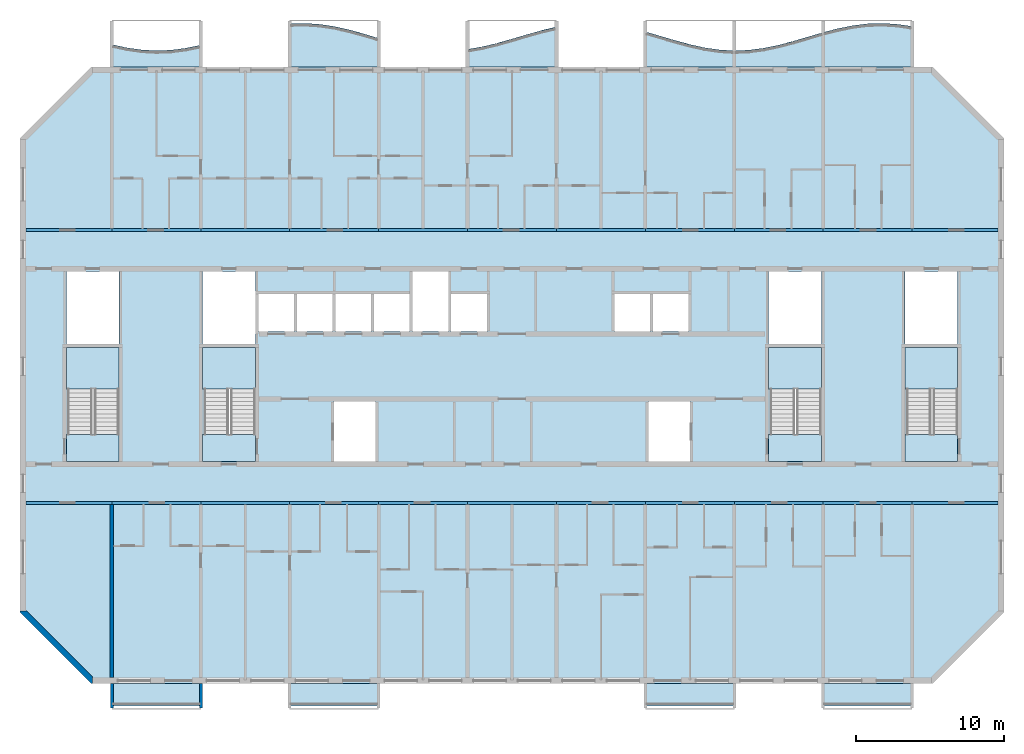
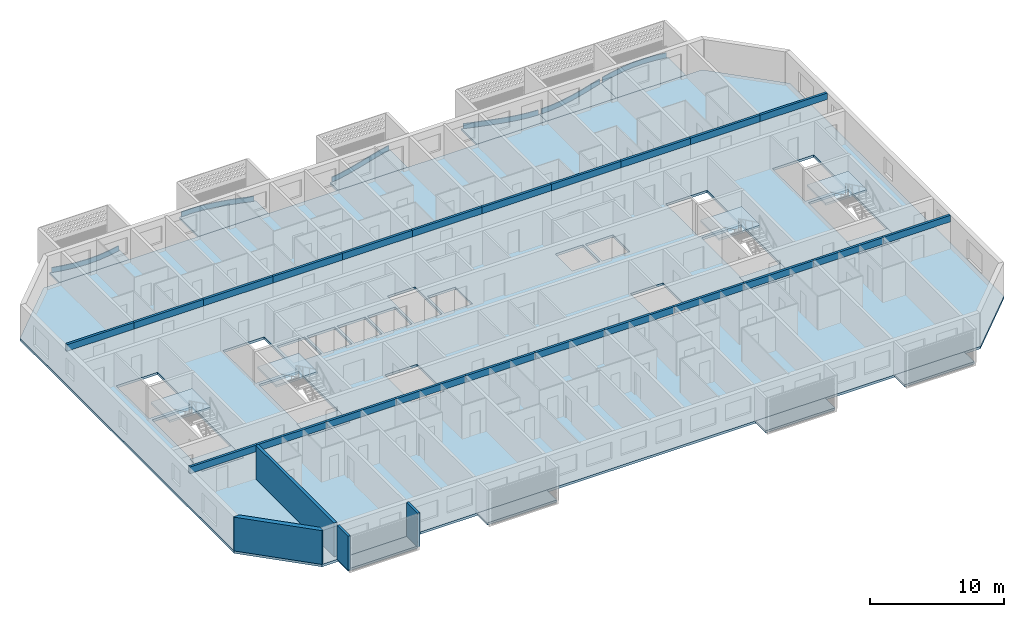
# One storey, part 1 of 26: 22 beams, 19 slabs, 6 plates, 4 walls, 4 elements without a shape of their own.
"""IFC4 building model written with IfcOpenShell, lengths in metres."""

from ifc_helpers import new_model, si_unit, direction, frame, frame_2d, origin, origin_2d, place, context, subcontext, project, spatial, polyline, rectangle, outline, extrude, source, transform, mapped, material, layer, layer_set, material_profile, profile_set, type_object, element, aggregate, save


model = new_model("IFC4")

# Units and contexts
model_context = context("Model", 3, precision=1e-05, world=origin(), true_north=direction((0.0, 1.0)))
body_context = subcontext(model_context, "Body", "Model", "MODEL_VIEW")
ifc_project = project(units=[si_unit("LENGTHUNIT", "METRE"), si_unit("AREAUNIT", "SQUARE_METRE"), si_unit("VOLUMEUNIT", "CUBIC_METRE"), si_unit("PLANEANGLEUNIT", "RADIAN"), si_unit("MASSUNIT", "GRAM", prefix="KILO")], contexts=[model_context])

# Site, building, storey
site_placement = place(None, origin())
site = spatial("IfcSite", under=ifc_project, at=site_placement, CompositionType="ELEMENT")
building_placement = place(site_placement, origin())
building = spatial("IfcBuilding", under=site, at=building_placement, Name="Poui Terraces", CompositionType="ELEMENT")
storey_placement = place(building_placement, frame((0.0, 0.0, 244.5)))
storey = spatial("IfcBuildingStorey", under=building, at=storey_placement, Name="L68", CompositionType="ELEMENT", Elevation=244.5)

# Beams
ifc_material_1 = material(Name="Concrete 50 MPa", Category="concrete")
ifc_material_profile = material_profile(ifc_material_1, rectangle(XDim=0.199951171875, YDim=0.60009765625, at=origin_2d()), Name="RC 200x600")
ifc_profile_set = profile_set([ifc_material_profile], Name="Concrete 50 MPa")
beam_type = type_object("IfcBeamType", Name="COUPLING BEAM 200x600 50MPa", PredefinedType="BEAM", material=ifc_profile_set)
shared_shape_1 = source(origin(), body_context, "Body", "SweptSolid", [
    extrude(rectangle(XDim=0.199951171875, YDim=0.60009765625, at=origin_2d()), origin(), (0.0, 0.0, 1.0), 5.800048828125),
])
for number, where, z_axis, x_axis, name in (
    (1, (18.199951171875, 12.0, 2.780029296875), (1.0, 0.0, 0.0), (0.0, 1.0, 0.0), "COUPLING BEAM LINE B BAY 1"),
    (2, (78.0, 12.0, 2.780029296875), (1.0, 0.0, 0.0), (0.0, 1.0, 0.0), "COUPLING BEAM LINE B BAY 11"),
    (3, (18.199951171875, 30.39990234375, 2.780029296875), (1.0, 0.0, 0.0), (0.0, 1.0, 0.0), "COUPLING BEAM LINE E BAY 1"),
    (4, (78.0, 30.39990234375, 2.780029296875), (1.0, 0.0, 0.0), (0.0, 1.0, 0.0), "COUPLING BEAM LINE E BAY 11"),
):
    element("IfcBeam", number, at=place(storey_placement, frame(where, z_axis=z_axis, x_axis=x_axis)), inside=storey, type_object=beam_type, Name=name, PredefinedType="BEAM", context=body_context, shape_type="MappedRepresentation", body=[
        mapped(shared_shape_1, transform((0.0, 0.0, 0.0))),
    ])
shared_shape_2 = source(origin(), body_context, "Body", "SweptSolid", [
    extrude(rectangle(XDim=0.199951171875, YDim=0.60009765625, at=origin_2d()), origin(), (0.0, 0.0, 1.0), 6.0),
])
for number, where, z_axis, x_axis, name in (
    (5, (24.0, 12.0, 2.780029296875), (1.0, 0.0, 0.0), (0.0, 1.0, 0.0), "COUPLING BEAM LINE B BAY 2"),
    (6, (30.0, 12.0, 2.780029296875), (1.0, 0.0, 0.0), (0.0, 1.0, 0.0), "COUPLING BEAM LINE B BAY 3"),
    (7, (36.0, 12.0, 2.780029296875), (1.0, 0.0, 0.0), (0.0, 1.0, 0.0), "COUPLING BEAM LINE B BAY 4"),
    (8, (42.0, 12.0, 2.780029296875), (1.0, 0.0, 0.0), (0.0, 1.0, 0.0), "COUPLING BEAM LINE B BAY 5"),
    (9, (48.0, 12.0, 2.780029296875), (1.0, 0.0, 0.0), (0.0, 1.0, 0.0), "COUPLING BEAM LINE B BAY 6"),
    (10, (54.0, 12.0, 2.780029296875), (1.0, 0.0, 0.0), (0.0, 1.0, 0.0), "COUPLING BEAM LINE B BAY 7"),
    (11, (60.0, 12.0, 2.780029296875), (1.0, 0.0, 0.0), (0.0, 1.0, 0.0), "COUPLING BEAM LINE B BAY 8"),
    (12, (66.0, 12.0, 2.780029296875), (1.0, 0.0, 0.0), (0.0, 1.0, 0.0), "COUPLING BEAM LINE B BAY 9"),
    (13, (72.0, 12.0, 2.780029296875), (1.0, 0.0, 0.0), (0.0, 1.0, 0.0), "COUPLING BEAM LINE B BAY 10"),
    (14, (24.0, 30.39990234375, 2.780029296875), (1.0, 0.0, 0.0), (0.0, 1.0, 0.0), "COUPLING BEAM LINE E BAY 2"),
    (15, (30.0, 30.39990234375, 2.780029296875), (1.0, 0.0, 0.0), (0.0, 1.0, 0.0), "COUPLING BEAM LINE E BAY 3"),
    (16, (36.0, 30.39990234375, 2.780029296875), (1.0, 0.0, 0.0), (0.0, 1.0, 0.0), "COUPLING BEAM LINE E BAY 4"),
    (17, (42.0, 30.39990234375, 2.780029296875), (1.0, 0.0, 0.0), (0.0, 1.0, 0.0), "COUPLING BEAM LINE E BAY 5"),
    (18, (48.0, 30.39990234375, 2.780029296875), (1.0, 0.0, 0.0), (0.0, 1.0, 0.0), "COUPLING BEAM LINE E BAY 6"),
    (19, (54.0, 30.39990234375, 2.780029296875), (1.0, 0.0, 0.0), (0.0, 1.0, 0.0), "COUPLING BEAM LINE E BAY 7"),
    (20, (60.0, 30.39990234375, 2.780029296875), (1.0, 0.0, 0.0), (0.0, 1.0, 0.0), "COUPLING BEAM LINE E BAY 8"),
    (21, (66.0, 30.39990234375, 2.780029296875), (1.0, 0.0, 0.0), (0.0, 1.0, 0.0), "COUPLING BEAM LINE E BAY 9"),
    (22, (72.0, 30.39990234375, 2.780029296875), (1.0, 0.0, 0.0), (0.0, 1.0, 0.0), "COUPLING BEAM LINE E BAY 10"),
):
    element("IfcBeam", number, at=place(storey_placement, frame(where, z_axis=z_axis, x_axis=x_axis)), inside=storey, type_object=beam_type, Name=name, PredefinedType="BEAM", context=body_context, shape_type="MappedRepresentation", body=[
        mapped(shared_shape_2, transform((0.0, 0.0, 0.0))),
    ])

# Slabs
ifc_material_2 = material(Name="Precast concrete 40 MPa", Category="concrete")
ifc_layer_1 = layer(ifc_material_2, 0.199951171875)
ifc_layer_set_1 = layer_set([ifc_layer_1], Name="Precast concrete 40 MPa")
slab_type_1 = type_object("IfcSlabType", Name="BALCONY SLAB 200", PredefinedType="FLOOR", material=ifc_layer_set_1)
slab_1_placement = place(storey_placement, frame((0.0, 0.0, -0.2001953125)))
element("IfcSlab", 23, at=slab_1_placement, inside=storey, type_object=slab_type_1, Name="BALCONY SLAB", PredefinedType="FLOOR", context=body_context, shape_type="SweptSolid", body=[
    extrude(outline(polyline([(24.0, 41.39990234375), (30.0, 41.39990234375), (30.0, 42.87939453125), (29.0, 42.6708984375), (28.0, 42.5400390625), (27.0, 42.500244140625), (26.0, 42.555908203125), (25.0, 42.70068359375), (24.0, 42.920166015625), (24.0, 41.39990234375)])), origin(), (0.0, 0.0, 1.0), 0.2001953125),
])
slab_2_placement = place(storey_placement, frame((0.0, 0.0, -0.2001953125)))
element("IfcSlab", 24, at=slab_2_placement, inside=storey, type_object=slab_type_1, Name="BALCONY SLAB", PredefinedType="FLOOR", context=body_context, shape_type="SweptSolid", body=[
    extrude(outline(polyline([(36.0, 41.39990234375), (42.0, 41.39990234375), (42.0, 43.338134765625), (41.0, 43.63427734375), (40.0, 43.90869140625), (39.0, 44.133544921875), (38.0, 44.285400390625), (37.0, 44.3486328125), (36.0, 44.31689453125), (36.0, 41.39990234375)])), origin(), (0.0, 0.0, 1.0), 0.2001953125),
])
slab_3_placement = place(storey_placement, frame((0.0, 0.0, -0.2001953125)))
element("IfcSlab", 25, at=slab_3_placement, inside=storey, type_object=slab_type_1, Name="BALCONY SLAB", PredefinedType="FLOOR", context=body_context, shape_type="SweptSolid", body=[
    extrude(outline(polyline([(48.0, 41.39990234375), (54.0, 41.39990234375), (54.0, 44.1005859375), (53.0, 43.86572265625), (52.0, 43.585693359375), (51.0, 43.288818359375), (50.0, 43.006103515625), (49.0, 42.7666015625), (48.0, 42.5947265625), (48.0, 41.39990234375)])), origin(), (0.0, 0.0, 1.0), 0.2001953125),
])
slab_4_placement = place(storey_placement, frame((0.0, 0.0, -0.2001953125)))
element("IfcSlab", 26, at=slab_4_placement, inside=storey, type_object=slab_type_1, Name="BALCONY SLAB", PredefinedType="FLOOR", context=body_context, shape_type="SweptSolid", body=[
    extrude(outline(polyline([(60.0, 41.39990234375), (66.0, 41.39990234375), (66.0, 42.500244140625), (65.0, 42.555908203125), (64.0, 42.70068359375), (63.0, 42.920166015625), (62.0, 43.191650390625), (61.0, 43.487060546875), (60.0, 43.776123046875), (60.0, 41.39990234375)])), origin(), (0.0, 0.0, 1.0), 0.2001953125),
])
slab_5_placement = place(storey_placement, frame((0.0, 0.0, -0.2001953125)))
element("IfcSlab", 27, at=slab_5_placement, inside=storey, type_object=slab_type_1, Name="BALCONY SLAB", PredefinedType="FLOOR", context=body_context, shape_type="SweptSolid", body=[
    extrude(outline(polyline([(66.0, 41.39990234375), (72.0, 41.39990234375), (72.0, 43.729736328125), (71.0, 43.4375), (70.0, 43.143798828125), (69.0, 42.87939453125), (68.0, 42.6708984375), (67.0, 42.5400390625), (66.0, 42.500244140625), (66.0, 41.39990234375)])), origin(), (0.0, 0.0, 1.0), 0.2001953125),
])
slab_6_placement = place(storey_placement, frame((0.0, 0.0, -0.2001953125)))
element("IfcSlab", 28, at=slab_6_placement, inside=storey, type_object=slab_type_1, Name="BALCONY SLAB", PredefinedType="FLOOR", context=body_context, shape_type="SweptSolid", body=[
    extrude(outline(polyline([(72.0, 41.39990234375), (78.0, 41.39990234375), (78.0, 44.133544921875), (77.0, 44.285400390625), (76.0, 44.3486328125), (75.0, 44.31689453125), (74.0, 44.193115234375), (73.0, 43.990478515625), (72.0, 43.729736328125), (72.0, 41.39990234375)])), origin(), (0.0, 0.0, 1.0), 0.2001953125),
])

# Stair, slabs
stair_type = type_object("IfcStairType", Name="EXIT STAIR 1650 50 MPA", PredefinedType="HALF_TURN_STAIR", material=ifc_material_1)
stair_1_placement = place(storey_placement, origin())
stair_1 = element("IfcStair", 29, at=stair_1_placement, inside=storey, type_object=stair_type, Name="L68 CORE STAIR EAST", PredefinedType="HALF_TURN_STAIR")
ifc_layer_2 = layer(ifc_material_1, 0.199951171875)
ifc_layer_set_2 = layer_set([ifc_layer_2], Name="Concrete 50 MPa")
slab_type_2 = type_object("IfcSlabType", Name="STAIR LANDING 200 50 MPA", PredefinedType="LANDING", material=ifc_layer_set_2)
slab_7_placement = place(storey_placement, frame((0.0, 0.0, 1.449951171875)))
slab_7 = element("IfcSlab", 30, at=slab_7_placement, type_object=slab_type_2, Name="ST-CE landing 1", PredefinedType="LANDING", context=body_context, shape_type="SweptSolid", body=[
    extrude(outline(polyline([(68.324951171875, 19.679931640625), (71.875, 19.679931640625), (71.875, 22.47509765625), (68.324951171875, 22.47509765625), (68.324951171875, 19.679931640625)])), origin(), (0.0, 0.0, 1.0), 0.199951171875),
])
slab_8_placement = place(storey_placement, frame((0.0, 0.0, -0.2001953125)))
slab_8 = element("IfcSlab", 31, at=slab_8_placement, type_object=slab_type_2, Name="ST-CE landing 2", PredefinedType="LANDING", context=body_context, shape_type="SweptSolid", body=[
    extrude(outline(polyline([(68.324951171875, 14.77490234375), (71.875, 14.77490234375), (71.875, 16.60009765625), (68.324951171875, 16.60009765625), (68.324951171875, 14.77490234375)])), origin(), (0.0, 0.0, 1.0), 0.2001953125),
])
aggregate(stair_1, [slab_7, slab_8])

stair_2_placement = place(storey_placement, origin())
stair_2 = element("IfcStair", 32, at=stair_2_placement, inside=storey, type_object=stair_type, Name="L68 CORE STAIR WEST", PredefinedType="HALF_TURN_STAIR")
slab_9_placement = place(storey_placement, frame((0.0, 0.0, 1.449951171875)))
slab_9 = element("IfcSlab", 33, at=slab_9_placement, type_object=slab_type_2, Name="ST-CW landing 1", PredefinedType="LANDING", context=body_context, shape_type="SweptSolid", body=[
    extrude(outline(polyline([(30.125, 19.679931640625), (33.675048828125, 19.679931640625), (33.675048828125, 22.47509765625), (30.125, 22.47509765625), (30.125, 19.679931640625)])), origin(), (0.0, 0.0, 1.0), 0.199951171875),
])
slab_10_placement = place(storey_placement, frame((0.0, 0.0, -0.2001953125)))
slab_10 = element("IfcSlab", 34, at=slab_10_placement, type_object=slab_type_2, Name="ST-CW landing 2", PredefinedType="LANDING", context=body_context, shape_type="SweptSolid", body=[
    extrude(outline(polyline([(30.125, 14.77490234375), (33.675048828125, 14.77490234375), (33.675048828125, 16.60009765625), (30.125, 16.60009765625), (30.125, 14.77490234375)])), origin(), (0.0, 0.0, 1.0), 0.2001953125),
])
aggregate(stair_2, [slab_9, slab_10])

stair_3_placement = place(storey_placement, origin())
stair_3 = element("IfcStair", 35, at=stair_3_placement, inside=storey, type_object=stair_type, Name="L68 TIP STAIR EAST", PredefinedType="HALF_TURN_STAIR")
slab_11_placement = place(storey_placement, frame((0.0, 0.0, 1.449951171875)))
slab_11 = element("IfcSlab", 36, at=slab_11_placement, type_object=slab_type_2, Name="ST-E landing 1", PredefinedType="LANDING", context=body_context, shape_type="SweptSolid", body=[
    extrude(outline(polyline([(77.52490234375, 19.679931640625), (81.074951171875, 19.679931640625), (81.074951171875, 22.47509765625), (77.52490234375, 22.47509765625), (77.52490234375, 19.679931640625)])), origin(), (0.0, 0.0, 1.0), 0.199951171875),
])
slab_12_placement = place(storey_placement, frame((0.0, 0.0, -0.2001953125)))
slab_12 = element("IfcSlab", 37, at=slab_12_placement, type_object=slab_type_2, Name="ST-E landing 2", PredefinedType="LANDING", context=body_context, shape_type="SweptSolid", body=[
    extrude(outline(polyline([(77.52490234375, 14.77490234375), (81.074951171875, 14.77490234375), (81.074951171875, 16.60009765625), (77.52490234375, 16.60009765625), (77.52490234375, 14.77490234375)])), origin(), (0.0, 0.0, 1.0), 0.2001953125),
])
aggregate(stair_3, [slab_11, slab_12])

stair_4_placement = place(storey_placement, origin())
stair_4 = element("IfcStair", 38, at=stair_4_placement, inside=storey, type_object=stair_type, Name="L68 TIP STAIR WEST", PredefinedType="HALF_TURN_STAIR")
slab_13_placement = place(storey_placement, frame((0.0, 0.0, 1.449951171875)))
slab_13 = element("IfcSlab", 39, at=slab_13_placement, type_object=slab_type_2, Name="ST-W landing 1", PredefinedType="LANDING", context=body_context, shape_type="SweptSolid", body=[
    extrude(outline(polyline([(20.925048828125, 19.679931640625), (24.47509765625, 19.679931640625), (24.47509765625, 22.47509765625), (20.925048828125, 22.47509765625), (20.925048828125, 19.679931640625)])), origin(), (0.0, 0.0, 1.0), 0.199951171875),
])
slab_14_placement = place(storey_placement, frame((0.0, 0.0, -0.2001953125)))
slab_14 = element("IfcSlab", 40, at=slab_14_placement, type_object=slab_type_2, Name="ST-W landing 2", PredefinedType="LANDING", context=body_context, shape_type="SweptSolid", body=[
    extrude(outline(polyline([(20.925048828125, 14.77490234375), (24.47509765625, 14.77490234375), (24.47509765625, 16.60009765625), (20.925048828125, 16.60009765625), (20.925048828125, 14.77490234375)])), origin(), (0.0, 0.0, 1.0), 0.2001953125),
])
aggregate(stair_4, [slab_13, slab_14])

# Plates
ifc_layer_3 = layer(ifc_material_2, 0.080078125)
ifc_layer_set_3 = layer_set([ifc_layer_3], Name="Precast concrete 40 MPa")
plate_type = type_object("IfcPlateType", Name="SUNSHADE UPSTAND 80", PredefinedType="SHEET", material=ifc_layer_set_3)
plate_1_placement = place(storey_placement, origin())
element("IfcPlate", 41, at=plate_1_placement, inside=storey, type_object=plate_type, Name="SUNSHADE UPSTAND", PredefinedType="SHEET", context=body_context, shape_type="SweptSolid", body=[
    extrude(outline(polyline([(25.007080078125, 42.695068359375), (24.13330078125, 42.883544921875), (24.11669921875, 42.805419921875), (24.992919921875, 42.6162109375), (25.99609375, 42.470947265625), (26.999755859375, 42.415283203125), (28.00341796875, 42.455078125), (29.006591796875, 42.58642578125), (29.883056640625, 42.765380859375), (29.866943359375, 42.843994140625), (28.993408203125, 42.665283203125), (27.99658203125, 42.534912109375), (27.000244140625, 42.495361328125), (26.00390625, 42.550537109375), (25.007080078125, 42.695068359375)])), origin(), (0.0, 0.0, 1.0), 0.449951171875),
])
plate_2_placement = place(storey_placement, origin())
element("IfcPlate", 42, at=plate_2_placement, inside=storey, type_object=plate_type, Name="SUNSHADE UPSTAND", PredefinedType="SHEET", context=body_context, shape_type="SweptSolid", body=[
    extrude(outline(polyline([(37.000732421875, 44.34375), (36.157958984375, 44.322021484375), (36.1240234375, 44.32080078125), (36.1259765625, 44.240966796875), (36.999267578125, 44.263671875), (37.99560546875, 44.20068359375), (38.99267578125, 44.04931640625), (39.990234375, 43.824951171875), (40.989013671875, 43.55078125), (41.863525390625, 43.2919921875), (41.886474609375, 43.36865234375), (41.010986328125, 43.627685546875), (40.009765625, 43.902587890625), (39.00732421875, 44.1279296875), (38.00439453125, 44.2802734375), (37.000732421875, 44.34375)])), origin(), (0.0, 0.0, 1.0), 0.449951171875),
])
plate_3_placement = place(storey_placement, origin())
element("IfcPlate", 43, at=plate_3_placement, inside=storey, type_object=plate_type, Name="SUNSHADE UPSTAND", PredefinedType="SHEET", context=body_context, shape_type="SweptSolid", body=[
    extrude(outline(polyline([(48.99169921875, 42.7607421875), (48.117919921875, 42.606201171875), (48.132080078125, 42.52734375), (49.00830078125, 42.682373046875), (50.010009765625, 42.922607421875), (51.010986328125, 43.20556640625), (52.010986328125, 43.502197265625), (53.010009765625, 43.781982421875), (53.88427734375, 43.99072265625), (53.86572265625, 44.068603515625), (52.989990234375, 43.859619140625), (51.989013671875, 43.5791015625), (50.989013671875, 43.2822265625), (49.989990234375, 43.0), (48.99169921875, 42.7607421875)])), origin(), (0.0, 0.0, 1.0), 0.449951171875),
])
plate_4_placement = place(storey_placement, origin())
element("IfcPlate", 44, at=plate_4_placement, inside=storey, type_object=plate_type, Name="SUNSHADE UPSTAND", PredefinedType="SHEET", context=body_context, shape_type="SweptSolid", body=[
    extrude(outline(polyline([(61.01123046875, 43.48046875), (60.13623046875, 43.73486328125), (60.11376953125, 43.657958984375), (60.98876953125, 43.40380859375), (61.989013671875, 43.108154296875), (62.990478515625, 42.836181640625), (63.992919921875, 42.6162109375), (64.995849609375, 42.470947265625), (65.87255859375, 42.417236328125), (65.87744140625, 42.4970703125), (65.004150390625, 42.550537109375), (64.007080078125, 42.695068359375), (63.009521484375, 42.9140625), (62.010986328125, 43.18505859375), (61.01123046875, 43.48046875)])), origin(), (0.0, 0.0, 1.0), 0.449951171875),
])
plate_5_placement = place(storey_placement, origin())
element("IfcPlate", 45, at=plate_5_placement, inside=storey, type_object=plate_type, Name="SUNSHADE UPSTAND", PredefinedType="SHEET", context=body_context, shape_type="SweptSolid", body=[
    extrude(outline(polyline([(66.99658203125, 42.534912109375), (66.123291015625, 42.4951171875), (66.126708984375, 42.4150390625), (67.00341796875, 42.455078125), (68.006591796875, 42.58642578125), (69.00927734375, 42.79541015625), (70.0107421875, 43.060302734375), (71.01123046875, 43.35400390625), (71.88623046875, 43.61083984375), (71.86376953125, 43.6875), (70.98876953125, 43.430908203125), (69.9892578125, 43.137451171875), (68.99072265625, 42.873291015625), (67.993408203125, 42.665283203125), (66.99658203125, 42.534912109375)])), origin(), (0.0, 0.0, 1.0), 0.449951171875),
])
plate_6_placement = place(storey_placement, origin())
element("IfcPlate", 46, at=plate_6_placement, inside=storey, type_object=plate_type, Name="SUNSHADE UPSTAND", PredefinedType="SHEET", context=body_context, shape_type="SweptSolid", body=[
    extrude(outline(polyline([(72.990966796875, 43.984619140625), (72.114990234375, 43.75830078125), (72.135009765625, 43.680908203125), (73.009033203125, 43.906494140625), (74.00634765625, 44.108642578125), (75.003173828125, 44.23193359375), (75.99951171875, 44.263671875), (76.995849609375, 44.20068359375), (77.869140625, 44.072509765625), (77.880859375, 44.151611328125), (77.004150390625, 44.2802734375), (76.00048828125, 44.34375), (74.996826171875, 44.311767578125), (73.99365234375, 44.187744140625), (72.990966796875, 43.984619140625)])), origin(), (0.0, 0.0, 1.0), 0.449951171875),
])

# Slabs
ifc_material_3 = material(Name="Concrete 40 MPa", Category="concrete")
ifc_layer_4 = layer(ifc_material_3, 0.219970703125)
ifc_layer_set_4 = layer_set([ifc_layer_4], Name="Concrete 40 MPa")
slab_type_3 = type_object("IfcSlabType", Name="FLOOR SLAB 220", PredefinedType="FLOOR", material=ifc_layer_set_4)
shared_shape_3 = source(origin(), body_context, "Body", "SweptSolid", [
    extrude(outline(polyline([(0.0, 0.0), (4.800048828125, -4.800048828125), (61.599853515625, -4.800048828125), (66.39990234375, 0.0), (66.39990234375, 32.0), (61.599853515625, 36.7998046875), (4.800048828125, 36.7998046875), (0.0, 32.0), (0.0, 0.0)]), holes=[polyline([(21.199951171875, 10.1748046875), (21.199951171875, 14.224853515625), (24.0, 14.224853515625), (24.0, 10.1748046875), (21.199951171875, 10.1748046875)]), polyline([(3.224853515625, 17.849853515625), (6.675048828125, 17.849853515625), (6.675048828125, 12.0), (6.675048828125, 10.1748046875), (3.125, 10.1748046875), (3.125, 12.0), (3.224853515625, 12.0), (3.224853515625, 17.849853515625)]), polyline([(12.425048828125, 17.849853515625), (15.875, 17.849853515625), (15.875, 12.0), (15.875, 10.1748046875), (12.324951171875, 10.1748046875), (12.324951171875, 12.0), (12.425048828125, 12.0), (12.425048828125, 17.849853515625)]), polyline([(16.099853515625, 18.974853515625), (16.099853515625, 21.5), (18.5, 21.5), (18.5, 18.974853515625), (16.099853515625, 18.974853515625)]), polyline([(18.699951171875, 18.974853515625), (18.699951171875, 21.5), (21.099853515625, 21.5), (21.099853515625, 18.974853515625), (18.699951171875, 18.974853515625)]), polyline([(21.300048828125, 18.974853515625), (21.300048828125, 21.5), (23.699951171875, 21.5), (23.699951171875, 18.974853515625), (21.300048828125, 18.974853515625)]), polyline([(23.89990234375, 18.974853515625), (23.89990234375, 21.5), (26.300048828125, 21.5), (26.300048828125, 18.974853515625), (23.89990234375, 18.974853515625)]), polyline([(3.125, 23.02490234375), (6.675048828125, 23.02490234375), (6.675048828125, 18.125), (3.125, 18.125), (3.125, 23.02490234375)]), polyline([(12.324951171875, 23.02490234375), (15.875, 23.02490234375), (15.875, 18.125), (12.324951171875, 18.125), (12.324951171875, 23.02490234375)]), polyline([(42.39990234375, 10.1748046875), (42.39990234375, 14.224853515625), (45.199951171875, 14.224853515625), (45.199951171875, 10.1748046875), (42.39990234375, 10.1748046875)]), polyline([(50.625, 17.849853515625), (54.074951171875, 17.849853515625), (54.074951171875, 12.0), (54.074951171875, 10.1748046875), (50.52490234375, 10.1748046875), (50.52490234375, 12.0), (50.625, 12.0), (50.625, 17.849853515625)]), polyline([(59.824951171875, 17.849853515625), (63.27490234375, 17.849853515625), (63.27490234375, 12.0), (63.27490234375, 10.1748046875), (59.724853515625, 10.1748046875), (59.724853515625, 12.0), (59.824951171875, 12.0), (59.824951171875, 17.849853515625)]), polyline([(29.099853515625, 18.974853515625), (29.099853515625, 21.5), (31.5, 21.5), (31.5, 18.974853515625), (29.099853515625, 18.974853515625)]), polyline([(40.099853515625, 18.974853515625), (40.099853515625, 21.5), (42.5, 21.5), (42.5, 18.974853515625), (40.099853515625, 18.974853515625)]), polyline([(42.699951171875, 18.974853515625), (42.699951171875, 21.5), (45.099853515625, 21.5), (45.099853515625, 18.974853515625), (42.699951171875, 18.974853515625)]), polyline([(50.52490234375, 18.125), (50.52490234375, 23.02490234375), (54.074951171875, 23.02490234375), (54.074951171875, 18.125), (50.52490234375, 18.125)]), polyline([(59.724853515625, 23.02490234375), (63.27490234375, 23.02490234375), (63.27490234375, 18.125), (59.724853515625, 18.125), (59.724853515625, 23.02490234375)]), polyline([(26.5, 23.02490234375), (28.89990234375, 23.02490234375), (28.89990234375, 18.974853515625), (26.5, 18.974853515625), (26.5, 23.02490234375)])]), origin(), (0.0, 0.0, 1.0), 0.22021484375),
])
slab_15_placement = place(storey_placement, frame((17.800048828125, 4.60009765625, -0.22021484375)))
element("IfcSlab", 47, at=slab_15_placement, inside=storey, type_object=slab_type_3, Name="FLOOR SLAB", PredefinedType="FLOOR", context=body_context, shape_type="MappedRepresentation", body=[
    mapped(shared_shape_3, transform((0.0, 0.0, 0.0))),
])
ifc_layer_5 = layer(ifc_material_2, 0.199951171875)
ifc_layer_set_5 = layer_set([ifc_layer_5], Name="Precast concrete 40 MPa")
slab_type_4 = type_object("IfcSlabType", Name="REAR BALCONY SLAB 200", PredefinedType="FLOOR", material=ifc_layer_set_5)
shared_shape_4 = source(origin(), body_context, "Body", "SweptSolid", [
    extrude(outline(polyline([(0.0, 0.0), (6.0, 0.0), (6.0, 1.5), (0.0, 1.5), (0.0, 0.0)])), origin(), (0.0, 0.0, 1.0), 0.2001953125),
])
for number, where, name in (
    (48, (24.0, -1.699951171875, -0.2001953125), "REAR BALCONY SLAB"),
    (49, (36.0, -1.699951171875, -0.2001953125), "REAR BALCONY SLAB"),
    (50, (60.0, -1.699951171875, -0.2001953125), "REAR BALCONY SLAB"),
    (51, (72.0, -1.699951171875, -0.2001953125), "REAR BALCONY SLAB"),
):
    element("IfcSlab", number, at=place(storey_placement, frame(where)), inside=storey, type_object=slab_type_4, Name=name, PredefinedType="FLOOR", context=body_context, shape_type="MappedRepresentation", body=[
        mapped(shared_shape_4, transform((0.0, 0.0, 0.0))),
    ])

# Walls
ifc_layer_6 = layer(ifc_material_1, 0.25)
ifc_layer_set_6 = layer_set([ifc_layer_6], Name="Concrete 50 MPa")
wall_type_1 = type_object("IfcWallType", Name="CROSS WALL 250 50MPa", PredefinedType="SHEAR", material=ifc_layer_set_6)
wall_1_placement = place(storey_placement, frame((24.0, 0.199951171875, 0.0), z_axis=(0.0, 0.0, 1.0), x_axis=(0.0, 1.0, 0.0)))
element("IfcWall", 52, at=wall_1_placement, inside=storey, type_object=wall_type_1, Name="CROSS WALL LINE 5 SOUTH", PredefinedType="SHEAR", context=body_context, shape_type="SweptSolid", body=[
    extrude(rectangle(XDim=11.699951171875, YDim=0.25, at=frame_2d((5.85009765625, 0.0))), origin(), (0.0, 0.0, 1.0), 3.080078125),
])
ifc_layer_7 = layer(ifc_material_2, 0.39990234375)
ifc_layer_set_7 = layer_set([ifc_layer_7], Name="Precast concrete 40 MPa")
wall_type_2 = type_object("IfcWallType", Name="TERRACOTTA CLAD CHAMFER WALL 400", PredefinedType="STANDARD", material=ifc_layer_set_7)
wall_2_placement = place(storey_placement, origin())
element("IfcWall", 53, at=wall_2_placement, inside=storey, type_object=wall_type_2, Name="CHAMFER WALL CH07", PredefinedType="STANDARD", context=body_context, shape_type="SweptSolid", body=[
    extrude(outline(polyline([(17.800048828125, 4.682861328125), (17.800048828125, 4.60009765625), (22.60009765625, -0.199951171875), (22.682861328125, -0.199951171875), (22.682861328125, 0.28271484375), (18.28271484375, 4.682861328125), (17.800048828125, 4.682861328125)])), origin(), (0.0, 0.0, 1.0), 3.080078125),
])
ifc_layer_8 = layer(ifc_material_2, 0.199951171875)
ifc_layer_set_8 = layer_set([ifc_layer_8], Name="Precast concrete 40 MPa")
wall_type_3 = type_object("IfcWallType", Name="REAR FIN 200", PredefinedType="STANDARD", material=ifc_layer_set_8)
shared_shape_5 = source(origin(), body_context, "Body", "SweptSolid", [
    extrude(outline(polyline([(0.0, 0.0), (0.2001953125, 0.0), (0.2001953125, 1.650146484375), (0.0, 1.650146484375), (0.0, 0.0)])), origin(), (0.0, 0.0, 1.0), 3.10009765625),
])
for number, where, name in (
    (54, (23.89990234375, -1.85009765625, 0.0), "REAR FIN"),
    (55, (29.89990234375, -1.85009765625, 0.0), "REAR FIN"),
):
    element("IfcWall", number, at=place(storey_placement, frame(where)), inside=storey, type_object=wall_type_3, Name=name, PredefinedType="STANDARD", context=body_context, shape_type="MappedRepresentation", body=[
        mapped(shared_shape_5, transform((0.0, 0.0, 0.0))),
    ])

save(model, "model.ifc")
